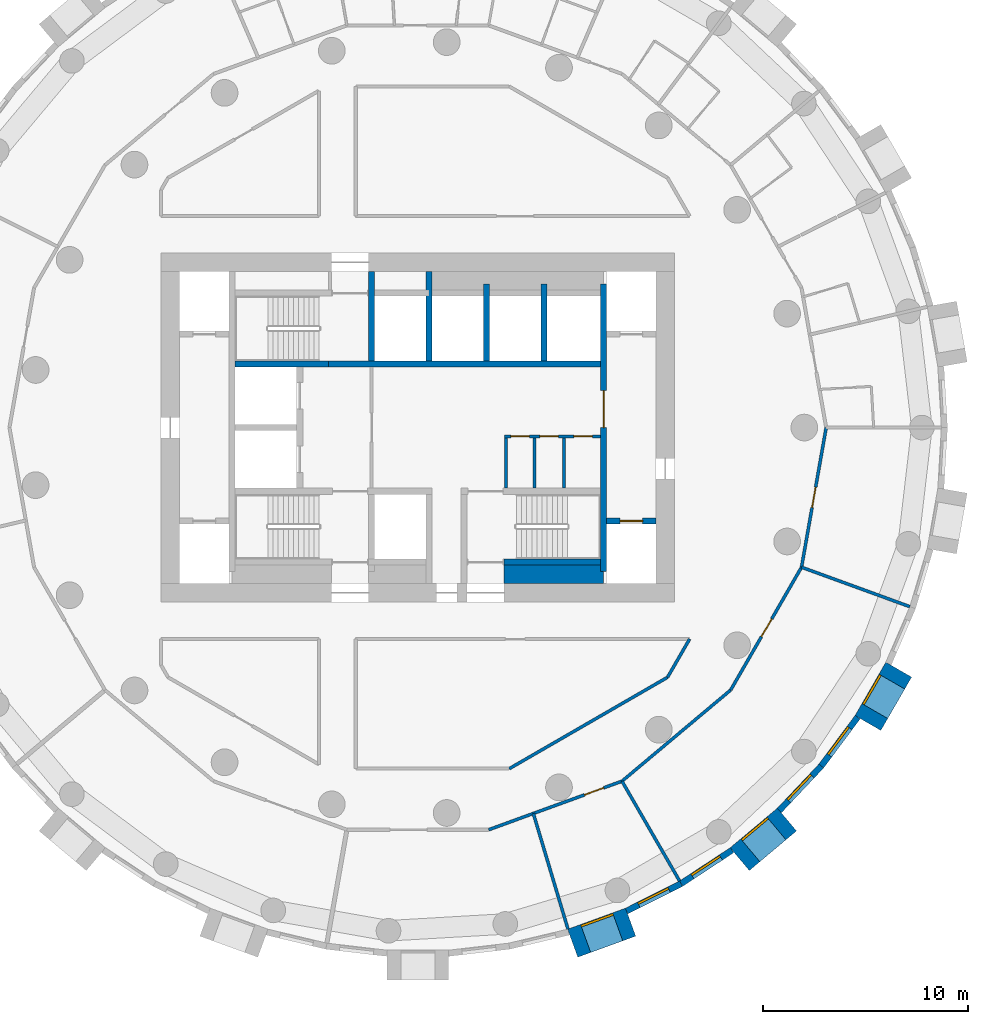
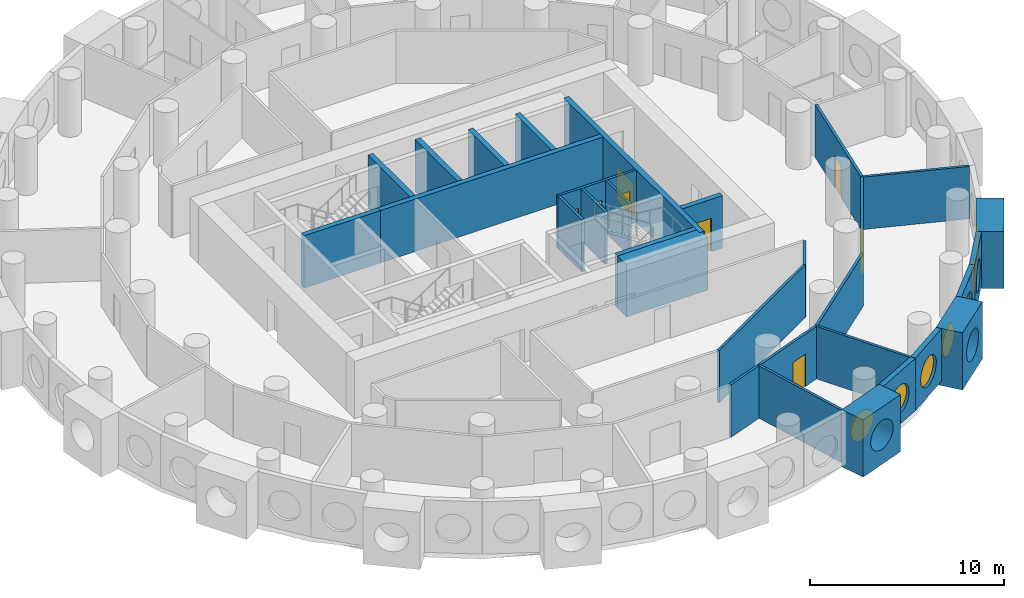
# One storey, part 4 of 9: 30 walls, 8 doors, 7 windows, 15 openings.
"""IFC4 building model written with IfcOpenShell, lengths in metres."""

from ifc_helpers import new_model, si_unit, direction, frame, frame_2d, origin, origin_2d, place, context, subcontext, project, spatial, rectangle, circle, extrude, material, layer, layer_set, type_object, element, fill, save


model = new_model("IFC4")

# Units and contexts
model_context = context("Model", 3, precision=1e-05, world=origin(), true_north=direction((0.0, 1.0)))
body_context = subcontext(model_context, "Body", "Model", "MODEL_VIEW")
ifc_project = project(units=[si_unit("LENGTHUNIT", "METRE"), si_unit("AREAUNIT", "SQUARE_METRE"), si_unit("VOLUMEUNIT", "CUBIC_METRE"), si_unit("PLANEANGLEUNIT", "RADIAN"), si_unit("MASSUNIT", "GRAM", prefix="KILO")], contexts=[model_context])

# Site, building, storey
site_placement = place(None, origin())
site = spatial("IfcSite", under=ifc_project, at=site_placement, CompositionType="ELEMENT")
building_placement = place(site_placement, origin())
building = spatial("IfcBuilding", under=site, at=building_placement, Name="Tracery Tower", CompositionType="ELEMENT")
storey_placement = place(building_placement, frame((0.0, 0.0, 162.0)))
storey = spatial("IfcBuildingStorey", under=building, at=storey_placement, Name="L41", CompositionType="ELEMENT", Elevation=162.0)

# Wall
ifc_material_1 = material(Name="Plasterboard on steel studs", Category="steel")
ifc_layer_1 = layer(ifc_material_1, 0.14990234375)
ifc_layer_set_1 = layer_set([ifc_layer_1], Name="Core room partition 150")
wall_type_1 = type_object("IfcWallType", Name="Core room partition 150", PredefinedType="SOLIDWALL", material=ifc_layer_set_1)
wall_1_placement = place(storey_placement, frame((4.300048828125, -2.949951171875, 0.0), z_axis=(0.0, 0.0, 1.0), x_axis=(0.0, 1.0, 0.0)))
element("IfcWall", 1, at=wall_1_placement, inside=storey, type_object=wall_type_1, Name="L41 slot W", PredefinedType="SOLIDWALL", context=body_context, shape_type="SweptSolid", body=[
    extrude(rectangle(XDim=2.449951171875, YDim=0.14990234375, at=frame_2d((1.22509765625, 0.0))), origin(), (0.0, 0.0, 1.0), 3.300048828125),
])

# Wall, openings, doors
wall_2_placement = place(storey_placement, frame((4.22509765625, -0.425048828125, 0.0), z_axis=(0.0, 0.0, 1.0), x_axis=(1.0, 0.0, 0.0)))
wall_2 = element("IfcWall", 2, at=wall_2_placement, inside=storey, type_object=wall_type_1, Name="L41 slot N", PredefinedType="SOLIDWALL", context=body_context, shape_type="SweptSolid", body=[
    extrude(rectangle(XDim=4.6748046875, YDim=0.14990234375, at=frame_2d((2.33740234375, 0.0))), origin(), (0.0, 0.0, 1.0), 3.300048828125),
])
opening_1_placement = place(wall_2_placement, frame((0.3125, 0.0, 0.0)))
opening_1 = element("IfcOpeningElement", 3, at=opening_1_placement, cuts=wall_2, Name="Opening KD32", PredefinedType="OPENING", context=body_context, shape_type="SweptSolid", body=[
    extrude(rectangle(XDim=0.89990234375, YDim=2.10009765625, at=frame_2d((0.449951171875, 1.050048828125))), frame((0.0, 0.074951171875, 0.0), z_axis=(0.0, -1.0, 0.0), x_axis=(1.0, 0.0, 0.0)), (0.0, 0.0, 1.0), 0.14990234375),
])
opening_2_placement = place(wall_2_placement, frame((1.72509765625, 0.0, 0.0)))
opening_2 = element("IfcOpeningElement", 4, at=opening_2_placement, cuts=wall_2, Name="Opening KD26", PredefinedType="OPENING", context=body_context, shape_type="SweptSolid", body=[
    extrude(rectangle(XDim=0.89990234375, YDim=2.10009765625, at=frame_2d((0.449951171875, 1.050048828125))), frame((0.0, 0.074951171875, 0.0), z_axis=(0.0, -1.0, 0.0), x_axis=(1.0, 0.0, 0.0)), (0.0, 0.0, 1.0), 0.14990234375),
])
opening_3_placement = place(wall_2_placement, frame((3.375, 0.0, 0.0)))
opening_3 = element("IfcOpeningElement", 5, at=opening_3_placement, cuts=wall_2, Name="Opening KD22", PredefinedType="OPENING", context=body_context, shape_type="SweptSolid", body=[
    extrude(rectangle(XDim=0.89990234375, YDim=2.10009765625, at=frame_2d((0.449951171875, 1.050048828125))), frame((0.0, 0.074951171875, 0.0), z_axis=(0.0, -1.0, 0.0), x_axis=(1.0, 0.0, 0.0)), (0.0, 0.0, 1.0), 0.14990234375),
])
ifc_material_2 = material(Name="Timber door leaf", Category="wood")
door_type_1 = type_object("IfcDoorType", Name="Core WC door 900", OperationType="NOTDEFINED", PredefinedType="DOOR", material=ifc_material_2)
door_1_placement = place(opening_3_placement, origin())
door_1 = element("IfcDoor", 6, at=door_1_placement, inside=storey, type_object=door_type_1, Name="Core door", OperationType="SINGLE_SWING_RIGHT", OverallHeight=2.10009765625, OverallWidth=0.89990234375, PredefinedType="DOOR", context=body_context, shape_type="SweptSolid", body=[
    extrude(rectangle(XDim=0.89990234375, YDim=2.10009765625, at=frame_2d((0.449951171875, 1.050048828125))), frame((0.0, 0.02490234375, 0.0), z_axis=(0.0, -1.0, 0.0), x_axis=(1.0, 0.0, 0.0)), (0.0, 0.0, 1.0), 0.050048828125),
])
fill(opening_3, door_1)
ifc_material_3 = material(Name="Steel fire door", Category="steel")
door_type_2 = type_object("IfcDoorType", Name="Core riser door 900", OperationType="NOTDEFINED", PredefinedType="DOOR", material=ifc_material_3)
door_2_placement = place(opening_1_placement, origin())
door_2 = element("IfcDoor", 7, at=door_2_placement, inside=storey, type_object=door_type_2, Name="Core door", OperationType="SINGLE_SWING_RIGHT", OverallHeight=2.10009765625, OverallWidth=0.89990234375, PredefinedType="DOOR", context=body_context, shape_type="SweptSolid", body=[
    extrude(rectangle(XDim=0.89990234375, YDim=2.10009765625, at=frame_2d((0.449951171875, 1.050048828125))), frame((0.0, 0.02490234375, 0.0), z_axis=(0.0, -1.0, 0.0), x_axis=(1.0, 0.0, 0.0)), (0.0, 0.0, 1.0), 0.050048828125),
])
fill(opening_1, door_2)
ifc_material_4 = material(Name="Timber door leaf", Category="wood")
door_type_3 = type_object("IfcDoorType", Name="Core store door 900", OperationType="NOTDEFINED", PredefinedType="DOOR", material=ifc_material_4)
door_3_placement = place(opening_2_placement, origin())
door_3 = element("IfcDoor", 8, at=door_3_placement, inside=storey, type_object=door_type_3, Name="Core door", OperationType="SINGLE_SWING_LEFT", OverallHeight=2.10009765625, OverallWidth=0.89990234375, PredefinedType="DOOR", context=body_context, shape_type="SweptSolid", body=[
    extrude(rectangle(XDim=0.89990234375, YDim=2.10009765625, at=frame_2d((0.449951171875, 1.050048828125))), frame((0.0, 0.02490234375, 0.0), z_axis=(0.0, -1.0, 0.0), x_axis=(1.0, 0.0, 0.0)), (0.0, 0.0, 1.0), 0.050048828125),
])
fill(opening_2, door_3)

# Walls
for number, where, z_axis, x_axis, name in (
    (9, (5.675048828125, -2.949951171875, 0.0), (0.0, 0.0, 1.0), (0.0, 1.0, 0.0), "L41 slot sep 1"),
    (10, (7.125, -2.949951171875, 0.0), (0.0, 0.0, 1.0), (0.0, 1.0, 0.0), "L41 slot sep 2"),
):
    element("IfcWall", number, at=place(storey_placement, frame(where, z_axis=z_axis, x_axis=x_axis)), inside=storey, type_object=wall_type_1, Name=name, PredefinedType="SOLIDWALL", context=body_context, shape_type="SweptSolid", body=[
        extrude(rectangle(XDim=2.449951171875, YDim=0.14990234375, at=frame_2d((1.22509765625, 0.0))), origin(), (0.0, 0.0, 1.0), 3.300048828125),
    ])
ifc_material_5 = material(Name="Concrete C50/60", Category="concrete")
ifc_layer_2 = layer(ifc_material_5, 0.89990234375)
ifc_layer_set_2 = layer_set([ifc_layer_2], Name="Core strip wall 900 C50")
wall_type_2 = type_object("IfcWallType", Name="Core strip wall 900 C50", PredefinedType="SOLIDWALL", material=ifc_layer_set_2)
wall_3_placement = place(storey_placement, frame((4.199951171875, -7.14990234375, 0.0), z_axis=(0.0, 0.0, 1.0), x_axis=(1.0, 0.0, 0.0)))
element("IfcWall", 11, at=wall_3_placement, inside=storey, type_object=wall_type_2, Name="L41 F thick S E", PredefinedType="SOLIDWALL", context=body_context, shape_type="SweptSolid", body=[
    extrude(rectangle(XDim=4.85009765625, YDim=0.89990234375, at=frame_2d((2.425048828125, 0.0))), origin(), (0.0, 0.0, 1.0), 3.300048828125),
])

# Wall, opening, window
ifc_material_6 = material(Name="Precast concrete C50/60", Category="concrete")
ifc_layer_3 = layer(ifc_material_6, 1.449951171875)
ifc_layer_set_3 = layer_set([ifc_layer_3], Name="Deep-set bay unit 3000 x 3600, slab edge 300")
wall_type_3 = type_object("IfcWallType", Name="Deep-set bay unit 3000 x 3600, slab edge 300", PredefinedType="ELEMENTEDWALL", material=ifc_layer_set_3)
wall_4_placement = place(storey_placement, frame((7.544189453125, -25.11328125, -0.300048828125), z_axis=(0.0, 0.0, 1.0), x_axis=(0.939686455819, 0.342037080957, 0.0)))
wall_4 = element("IfcWall", 12, at=wall_4_placement, inside=storey, type_object=wall_type_3, Name="Deep-set bay unit 44 at L41", PredefinedType="ELEMENTEDWALL", context=body_context, shape_type="SweptSolid", body=[
    extrude(rectangle(XDim=3.0, YDim=1.449951171875, at=frame_2d((1.5, 0.0))), origin(), (0.0, 0.0, 1.0), 3.60009765625),
])
opening_4_placement = place(wall_4_placement, frame((1.5, 0.0, 1.85009765625)))
opening_4 = element("IfcOpeningElement", 13, at=opening_4_placement, cuts=wall_4, Name="Opening WN1", PredefinedType="OPENING", context=body_context, shape_type="SweptSolid", body=[
    extrude(circle(Radius=0.9000244140625, at=origin_2d()), frame((0.0, 0.73486328125, 0.0), z_axis=(0.0, -1.0, 0.0), x_axis=(1.0, 0.0, 0.0)), (0.0, 0.0, 1.0), 1.469970703125),
])
ifc_material_7 = material(Name="Aluminium frame with tinted double glazing", Category="aluminium")
window_type = type_object("IfcWindowType", Name="Round window 1800", PartitioningType="SINGLE_PANEL", PredefinedType="WINDOW", material=ifc_material_7)
window_1_placement = place(opening_4_placement, origin())
window_1 = element("IfcWindow", 14, at=window_1_placement, inside=storey, type_object=window_type, Name="Round window 44 at L41", OverallHeight=1.800048828125, OverallWidth=1.800048828125, PartitioningType="SINGLE_PANEL", PredefinedType="WINDOW", context=body_context, shape_type="SweptSolid", body=[
    extrude(circle(Radius=0.9000244140625, at=origin_2d()), frame((0.0, 0.69482421875, 0.0), z_axis=(0.0, -1.0, 0.0), x_axis=(1.0, 0.0, 0.0)), (0.0, 0.0, 1.0), 0.10009765625),
])
fill(opening_4, window_1)

wall_5_placement = place(storey_placement, frame((15.678466796875, -21.0185546875, -0.300048828125), z_axis=(0.0, 0.0, 1.0), x_axis=(0.766022196139, 0.642814121673, 0.0)))
wall_5 = element("IfcWall", 15, at=wall_5_placement, inside=storey, type_object=wall_type_3, Name="Deep-set bay unit 47 at L41", PredefinedType="ELEMENTEDWALL", context=body_context, shape_type="SweptSolid", body=[
    extrude(rectangle(XDim=3.0, YDim=1.449951171875, at=frame_2d((1.5, 0.0))), origin(), (0.0, 0.0, 1.0), 3.60009765625),
])
opening_5_placement = place(wall_5_placement, frame((1.5, 0.0, 1.85009765625)))
opening_5 = element("IfcOpeningElement", 16, at=opening_5_placement, cuts=wall_5, Name="Opening WN1", PredefinedType="OPENING", context=body_context, shape_type="SweptSolid", body=[
    extrude(circle(Radius=0.9000244140625, at=origin_2d()), frame((0.0, 0.73486328125, 0.0), z_axis=(0.0, -1.0, 0.0), x_axis=(1.0, 0.0, 0.0)), (0.0, 0.0, 1.0), 1.469970703125),
])
window_2_placement = place(opening_5_placement, origin())
window_2 = element("IfcWindow", 17, at=window_2_placement, inside=storey, type_object=window_type, Name="Round window 47 at L41", OverallHeight=1.800048828125, OverallWidth=1.800048828125, PartitioningType="SINGLE_PANEL", PredefinedType="WINDOW", context=body_context, shape_type="SweptSolid", body=[
    extrude(circle(Radius=0.9000244140625, at=origin_2d()), frame((0.0, 0.69482421875, 0.0), z_axis=(0.0, -1.0, 0.0), x_axis=(1.0, 0.0, 0.0)), (0.0, 0.0, 1.0), 0.10009765625),
])
fill(opening_5, window_2)

wall_6_placement = place(storey_placement, frame((21.921630859375, -14.388671875, -0.300048828125), z_axis=(0.0, 0.0, 1.0), x_axis=(0.499990139034, 0.866031096941, 0.0)))
wall_6 = element("IfcWall", 18, at=wall_6_placement, inside=storey, type_object=wall_type_3, Name="Deep-set bay unit 50 at L41", PredefinedType="ELEMENTEDWALL", context=body_context, shape_type="SweptSolid", body=[
    extrude(rectangle(XDim=3.0, YDim=1.449951171875, at=frame_2d((1.5, 0.0))), origin(), (0.0, 0.0, 1.0), 3.60009765625),
])
opening_6_placement = place(wall_6_placement, frame((1.5, 0.0, 1.85009765625)))
opening_6 = element("IfcOpeningElement", 19, at=opening_6_placement, cuts=wall_6, Name="Opening WN1", PredefinedType="OPENING", context=body_context, shape_type="SweptSolid", body=[
    extrude(circle(Radius=0.9000244140625, at=origin_2d()), frame((0.0, 0.73486328125, 0.0), z_axis=(0.0, -1.0, 0.0), x_axis=(1.0, 0.0, 0.0)), (0.0, 0.0, 1.0), 1.469970703125),
])
window_3_placement = place(opening_6_placement, origin())
window_3 = element("IfcWindow", 20, at=window_3_placement, inside=storey, type_object=window_type, Name="Round window 50 at L41", OverallHeight=1.800048828125, OverallWidth=1.800048828125, PartitioningType="SINGLE_PANEL", PredefinedType="WINDOW", context=body_context, shape_type="SweptSolid", body=[
    extrude(circle(Radius=0.9000244140625, at=origin_2d()), frame((0.0, 0.69482421875, 0.0), z_axis=(0.0, -1.0, 0.0), x_axis=(1.0, 0.0, 0.0)), (0.0, 0.0, 1.0), 0.10009765625),
])
fill(opening_6, window_3)

ifc_material_8 = material(Name="Precast concrete C50/60", Category="concrete")
ifc_layer_4 = layer(ifc_material_8, 0.300048828125)
ifc_layer_set_4 = layer_set([ifc_layer_4], Name="Facade panel 3000 x 3300")
wall_type_4 = type_object("IfcWallType", Name="Facade panel 3000 x 3300", PredefinedType="SOLIDWALL", material=ifc_layer_set_4)
wall_7_placement = place(storey_placement, frame((10.1669921875, -23.545654296875, 0.0), z_axis=(0.0, 0.0, 1.0), x_axis=(0.893637442555, 0.448789618045, 0.0)))
wall_7 = element("IfcWall", 21, at=wall_7_placement, inside=storey, type_object=wall_type_4, Name="Facade panel 45 at L41", PredefinedType="SOLIDWALL", context=body_context, shape_type="SweptSolid", body=[
    extrude(rectangle(XDim=2.972900390625, YDim=0.300048828125, at=frame_2d((1.486328125, 0.0))), origin(), (0.0, 0.0, 1.0), 3.300048828125),
])
opening_7_placement = place(wall_7_placement, frame((1.486328125, 0.0, 1.5498046875)))
opening_7 = element("IfcOpeningElement", 22, at=opening_7_placement, cuts=wall_7, Name="Opening WN1", PredefinedType="OPENING", context=body_context, shape_type="SweptSolid", body=[
    extrude(circle(Radius=0.9000244140625, at=origin_2d()), frame((0.0, 0.159912109375, 0.0), z_axis=(0.0, -1.0, 0.0), x_axis=(1.0, 0.0, 0.0)), (0.0, 0.0, 1.0), 0.320068359375),
])
window_4_placement = place(opening_7_placement, origin())
window_4 = element("IfcWindow", 23, at=window_4_placement, inside=storey, type_object=window_type, Name="Round window 45 at L41", OverallHeight=1.800048828125, OverallWidth=1.800048828125, PartitioningType="SINGLE_PANEL", PredefinedType="WINDOW", context=body_context, shape_type="SweptSolid", body=[
    extrude(circle(Radius=0.9000244140625, at=origin_2d()), frame((0.0, 0.1201171875, 0.0), z_axis=(0.0, -1.0, 0.0), x_axis=(1.0, 0.0, 0.0)), (0.0, 0.0, 1.0), 0.10009765625),
])
fill(opening_7, window_4)

wall_8_placement = place(storey_placement, frame((12.82373046875, -22.21142578125, 0.0), z_axis=(0.0, 0.0, 1.0), x_axis=(0.835470659512, 0.549535055382, 0.0)))
wall_8 = element("IfcWall", 24, at=wall_8_placement, inside=storey, type_object=wall_type_4, Name="Facade panel 46 at L41", PredefinedType="SOLIDWALL", context=body_context, shape_type="SweptSolid", body=[
    extrude(rectangle(XDim=2.97314453125, YDim=0.300048828125, at=frame_2d((1.486572265625, 0.0))), origin(), (0.0, 0.0, 1.0), 3.300048828125),
])
opening_8_placement = place(wall_8_placement, frame((1.486328125, 0.0, 1.5498046875)))
opening_8 = element("IfcOpeningElement", 25, at=opening_8_placement, cuts=wall_8, Name="Opening WN1", PredefinedType="OPENING", context=body_context, shape_type="SweptSolid", body=[
    extrude(circle(Radius=0.9000244140625, at=origin_2d()), frame((0.0, 0.159912109375, 0.0), z_axis=(0.0, -1.0, 0.0), x_axis=(1.0, 0.0, 0.0)), (0.0, 0.0, 1.0), 0.320068359375),
])
window_5_placement = place(opening_8_placement, origin())
window_5 = element("IfcWindow", 26, at=window_5_placement, inside=storey, type_object=window_type, Name="Round window 46 at L41", OverallHeight=1.800048828125, OverallWidth=1.800048828125, PartitioningType="SINGLE_PANEL", PredefinedType="WINDOW", context=body_context, shape_type="SweptSolid", body=[
    extrude(circle(Radius=0.9000244140625, at=origin_2d()), frame((0.0, 0.1201171875, 0.0), z_axis=(0.0, -1.0, 0.0), x_axis=(1.0, 0.0, 0.0)), (0.0, 0.0, 1.0), 0.10009765625),
])
fill(opening_8, window_5)

wall_9_placement = place(storey_placement, frame((17.60693359375, -18.648193359375, 0.0), z_axis=(0.0, 0.0, 1.0), x_axis=(0.686235184166, 0.727379730273, 0.0)))
wall_9 = element("IfcWall", 27, at=wall_9_placement, inside=storey, type_object=wall_type_4, Name="Facade panel 48 at L41", PredefinedType="SOLIDWALL", context=body_context, shape_type="SweptSolid", body=[
    extrude(rectangle(XDim=2.972900390625, YDim=0.300048828125, at=frame_2d((1.486328125, 0.0))), origin(), (0.0, 0.0, 1.0), 3.300048828125),
])
opening_9_placement = place(wall_9_placement, frame((1.486328125, 0.0, 1.5498046875)))
opening_9 = element("IfcOpeningElement", 28, at=opening_9_placement, cuts=wall_9, Name="Opening WN1", PredefinedType="OPENING", context=body_context, shape_type="SweptSolid", body=[
    extrude(circle(Radius=0.9000244140625, at=origin_2d()), frame((0.0, 0.159912109375, 0.0), z_axis=(0.0, -1.0, 0.0), x_axis=(1.0, 0.0, 0.0)), (0.0, 0.0, 1.0), 0.320068359375),
])
window_6_placement = place(opening_9_placement, origin())
window_6 = element("IfcWindow", 29, at=window_6_placement, inside=storey, type_object=window_type, Name="Round window 48 at L41", OverallHeight=1.800048828125, OverallWidth=1.800048828125, PartitioningType="SINGLE_PANEL", PredefinedType="WINDOW", context=body_context, shape_type="SweptSolid", body=[
    extrude(circle(Radius=0.9000244140625, at=origin_2d()), frame((0.0, 0.1201171875, 0.0), z_axis=(0.0, -1.0, 0.0), x_axis=(1.0, 0.0, 0.0)), (0.0, 0.0, 1.0), 0.10009765625),
])
fill(opening_9, window_6)

wall_10_placement = place(storey_placement, frame((19.64697265625, -16.48583984375, 0.0), z_axis=(0.0, 0.0, 1.0), x_axis=(0.597197580538, 0.80209416517, 0.0)))
wall_10 = element("IfcWall", 30, at=wall_10_placement, inside=storey, type_object=wall_type_4, Name="Facade panel 49 at L41", PredefinedType="SOLIDWALL", context=body_context, shape_type="SweptSolid", body=[
    extrude(rectangle(XDim=2.972900390625, YDim=0.300048828125, at=frame_2d((1.486328125, 0.0))), origin(), (0.0, 0.0, 1.0), 3.300048828125),
])
opening_10_placement = place(wall_10_placement, frame((1.486328125, 0.0, 1.5498046875)))
opening_10 = element("IfcOpeningElement", 31, at=opening_10_placement, cuts=wall_10, Name="Opening WN1", PredefinedType="OPENING", context=body_context, shape_type="SweptSolid", body=[
    extrude(circle(Radius=0.9000244140625, at=origin_2d()), frame((0.0, 0.159912109375, 0.0), z_axis=(0.0, -1.0, 0.0), x_axis=(1.0, 0.0, 0.0)), (0.0, 0.0, 1.0), 0.320068359375),
])
window_7_placement = place(opening_10_placement, origin())
window_7 = element("IfcWindow", 32, at=window_7_placement, inside=storey, type_object=window_type, Name="Round window 49 at L41", OverallHeight=1.800048828125, OverallWidth=1.800048828125, PartitioningType="SINGLE_PANEL", PredefinedType="WINDOW", context=body_context, shape_type="SweptSolid", body=[
    extrude(circle(Radius=0.9000244140625, at=origin_2d()), frame((0.0, 0.1201171875, 0.0), z_axis=(0.0, -1.0, 0.0), x_axis=(1.0, 0.0, 0.0)), (0.0, 0.0, 1.0), 0.10009765625),
])
fill(opening_10, window_7)

# Walls
ifc_material_9 = material(Name="Plasterboard on steel studs", Category="steel")
ifc_layer_5 = layer(ifc_material_9, 0.14990234375)
ifc_layer_set_5 = layer_set([ifc_layer_5], Name="Partition 150 acoustic unit wall")
wall_type_5 = type_object("IfcWallType", Name="Partition 150 acoustic unit wall", PredefinedType="PARTITIONING", material=ifc_layer_set_5)
wall_11_placement = place(storey_placement, frame((5.626953125, -18.794921875, 0.0), z_axis=(0.0, 0.0, 1.0), x_axis=(0.286833432865, -0.957980470464, 0.0)))
element("IfcWall", 33, at=wall_11_placement, inside=storey, type_object=wall_type_5, Name="Unit wall RB4-073", PredefinedType="PARTITIONING", context=body_context, shape_type="SweptSolid", body=[
    extrude(rectangle(XDim=5.878173828125, YDim=0.14990234375, at=frame_2d((2.93896484375, 0.0))), origin(), (0.0, 0.0, 1.0), 3.300048828125),
])
wall_12_placement = place(storey_placement, frame((9.944091796875, -17.222900390625, 0.0), z_axis=(0.0, 0.0, 1.0), x_axis=(0.500010020406, -0.866019618423, 0.0)))
element("IfcWall", 34, at=wall_12_placement, inside=storey, type_object=wall_type_5, Name="Unit wall RB4-074", PredefinedType="PARTITIONING", context=body_context, shape_type="SweptSolid", body=[
    extrude(rectangle(XDim=5.60986328125, YDim=0.14990234375, at=frame_2d((2.804931640625, 0.0))), origin(), (0.0, 0.0, 1.0), 3.300048828125),
])
wall_13_placement = place(storey_placement, frame((18.68798828125, -6.802001953125, 0.0), z_axis=(0.0, 0.0, 1.0), x_axis=(0.939686652043, -0.342036541866, 0.0)))
element("IfcWall", 35, at=wall_13_placement, inside=storey, type_object=wall_type_5, Name="Unit wall RB4-075", PredefinedType="PARTITIONING", context=body_context, shape_type="SweptSolid", body=[
    extrude(rectangle(XDim=5.6103515625, YDim=0.14990234375, at=frame_2d((2.80517578125, 0.0))), origin(), (0.0, 0.0, 1.0), 3.300048828125),
])
ifc_material_10 = material(Name="Plasterboard on steel studs", Category="steel")
ifc_layer_6 = layer(ifc_material_10, 0.14990234375)
ifc_layer_set_6 = layer_set([ifc_layer_6], Name="Partition 150 corridor wall")
wall_type_6 = type_object("IfcWallType", Name="Partition 150 corridor wall", PredefinedType="PARTITIONING", material=ifc_layer_set_6)
wall_14_placement = place(storey_placement, frame((12.162109375, -12.162109375, 0.0), z_axis=(0.0, 0.0, 1.0), x_axis=(0.499961633463, 0.866047553582, 0.0)))
element("IfcWall", 36, at=wall_14_placement, inside=storey, type_object=wall_type_6, Name="Corridor wall RB4-006", PredefinedType="PARTITIONING", context=body_context, shape_type="SweptSolid", body=[
    extrude(rectangle(XDim=2.150146484375, YDim=0.14990234375, at=frame_2d((1.0751953125, 0.0))), origin(), (0.0, 0.0, 1.0), 3.300048828125),
])

# Wall, opening, door
wall_15_placement = place(storey_placement, frame((15.235107421875, -12.783935546875, 0.0), z_axis=(0.0, 0.0, 1.0), x_axis=(0.499914202267, 0.866074933462, 0.0)))
wall_15 = element("IfcWall", 37, at=wall_15_placement, inside=storey, type_object=wall_type_6, Name="Corridor wall RB4-010", PredefinedType="PARTITIONING", context=body_context, shape_type="SweptSolid", body=[
    extrude(rectangle(XDim=6.906982421875, YDim=0.14990234375, at=frame_2d((3.45361328125, 0.0))), origin(), (0.0, 0.0, 1.0), 3.300048828125),
])
opening_11_placement = place(wall_15_placement, frame((3.003173828125, 0.0, 0.0)))
opening_11 = element("IfcOpeningElement", 38, at=opening_11_placement, cuts=wall_15, Name="Opening RB4-28", PredefinedType="OPENING", context=body_context, shape_type="SweptSolid", body=[
    extrude(rectangle(XDim=1.0, YDim=2.0400390625, at=frame_2d((0.5, 1.02001953125))), frame((0.0, 0.074951171875, 0.0), z_axis=(0.0, -1.0, 0.0), x_axis=(1.0, 0.0, 0.0)), (0.0, 0.0, 1.0), 0.14990234375),
])
ifc_material_11 = material(Name="Timber door leaf", Category="wood")
door_type_4 = type_object("IfcDoorType", Name="Door communal room 1000", OperationType="NOTDEFINED", PredefinedType="DOOR", material=ifc_material_11)
door_4_placement = place(opening_11_placement, origin())
door_4 = element("IfcDoor", 39, at=door_4_placement, inside=storey, type_object=door_type_4, Name="Communal room door RB4-28", OperationType="SINGLE_SWING_LEFT", OverallHeight=2.0400390625, OverallWidth=1.0, PredefinedType="DOOR", context=body_context, shape_type="SweptSolid", body=[
    extrude(rectangle(XDim=1.0, YDim=2.0400390625, at=frame_2d((0.5, 1.02001953125))), frame((0.0, 0.02490234375, 0.0), z_axis=(0.0, -1.0, 0.0), x_axis=(1.0, 0.0, 0.0)), (0.0, 0.0, 1.0), 0.050048828125),
])
fill(opening_11, door_4)

# Wall
wall_16_placement = place(storey_placement, frame((9.943359375, -17.22216796875, 0.0), z_axis=(0.0, 0.0, 1.0), x_axis=(0.766192104565, 0.642611592567, 0.0)))
element("IfcWall", 40, at=wall_16_placement, inside=storey, type_object=wall_type_6, Name="Corridor wall RB4-011", PredefinedType="PARTITIONING", context=body_context, shape_type="SweptSolid", body=[
    extrude(rectangle(XDim=6.906494140625, YDim=0.14990234375, at=frame_2d((3.453125, 0.0))), origin(), (0.0, 0.0, 1.0), 3.300048828125),
])

# Wall, opening, door
wall_17_placement = place(storey_placement, frame((18.68798828125, -6.802001953125, 0.0), z_axis=(0.0, 0.0, 1.0), x_axis=(0.173728873845, 0.98479352069, 0.0)))
wall_17 = element("IfcWall", 41, at=wall_17_placement, inside=storey, type_object=wall_type_6, Name="Corridor wall RB4-012", PredefinedType="PARTITIONING", context=body_context, shape_type="SweptSolid", body=[
    extrude(rectangle(XDim=6.906982421875, YDim=0.14990234375, at=frame_2d((3.45361328125, 0.0))), origin(), (0.0, 0.0, 1.0), 3.300048828125),
])
opening_12_placement = place(wall_17_placement, frame((2.952880859375, 0.0, 0.0)))
opening_12 = element("IfcOpeningElement", 42, at=opening_12_placement, cuts=wall_17, Name="Opening RB4-29", PredefinedType="OPENING", context=body_context, shape_type="SweptSolid", body=[
    extrude(rectangle(XDim=1.0, YDim=2.0400390625, at=frame_2d((0.5, 1.02001953125))), frame((0.0, 0.074951171875, 0.0), z_axis=(0.0, -1.0, 0.0), x_axis=(1.0, 0.0, 0.0)), (0.0, 0.0, 1.0), 0.14990234375),
])
door_5_placement = place(opening_12_placement, origin())
door_5 = element("IfcDoor", 43, at=door_5_placement, inside=storey, type_object=door_type_4, Name="Communal room door RB4-29", OperationType="SINGLE_SWING_RIGHT", OverallHeight=2.0400390625, OverallWidth=1.0, PredefinedType="DOOR", context=body_context, shape_type="SweptSolid", body=[
    extrude(rectangle(XDim=1.0, YDim=2.0400390625, at=frame_2d((0.5, 1.02001953125))), frame((0.0, 0.02490234375, 0.0), z_axis=(0.0, -1.0, 0.0), x_axis=(1.0, 0.0, 0.0)), (0.0, 0.0, 1.0), 0.050048828125),
])
fill(opening_12, door_5)

# Wall
wall_18_placement = place(storey_placement, frame((4.451904296875, -16.614013671875, 0.0), z_axis=(0.0, 0.0, 1.0), x_axis=(0.866005203721, 0.500034985904, 0.0)))
element("IfcWall", 44, at=wall_18_placement, inside=storey, type_object=wall_type_6, Name="Corridor wall RB4-035", PredefinedType="PARTITIONING", context=body_context, shape_type="SweptSolid", body=[
    extrude(rectangle(XDim=8.903076171875, YDim=0.14990234375, at=frame_2d((4.45166015625, 0.0))), origin(), (0.0, 0.0, 1.0), 3.300048828125),
])

# Wall, opening, door
wall_19_placement = place(storey_placement, frame((3.452880859375, -19.5859375, 0.0), z_axis=(0.0, 0.0, 1.0), x_axis=(0.939607544688, 0.342253797591, 0.0)))
wall_19 = element("IfcWall", 45, at=wall_19_placement, inside=storey, type_object=wall_type_6, Name="Corridor wall RB4-037", PredefinedType="PARTITIONING", context=body_context, shape_type="SweptSolid", body=[
    extrude(rectangle(XDim=6.907958984375, YDim=0.14990234375, at=frame_2d((3.4541015625, 0.0))), origin(), (0.0, 0.0, 1.0), 3.300048828125),
])
opening_13_placement = place(wall_19_placement, frame((4.958740234375, 0.0, 0.0)))
opening_13 = element("IfcOpeningElement", 46, at=opening_13_placement, cuts=wall_19, Name="Opening RB4-27", PredefinedType="OPENING", context=body_context, shape_type="SweptSolid", body=[
    extrude(rectangle(XDim=1.0, YDim=2.0400390625, at=frame_2d((0.5, 1.02001953125))), frame((0.0, 0.074951171875, 0.0), z_axis=(0.0, -1.0, 0.0), x_axis=(1.0, 0.0, 0.0)), (0.0, 0.0, 1.0), 0.14990234375),
])
door_6_placement = place(opening_13_placement, origin())
door_6 = element("IfcDoor", 47, at=door_6_placement, inside=storey, type_object=door_type_4, Name="Communal room door RB4-27", OperationType="SINGLE_SWING_LEFT", OverallHeight=2.0400390625, OverallWidth=1.0, PredefinedType="DOOR", context=body_context, shape_type="SweptSolid", body=[
    extrude(rectangle(XDim=1.0, YDim=2.0400390625, at=frame_2d((0.5, 1.02001953125))), frame((0.0, 0.02490234375, 0.0), z_axis=(0.0, -1.0, 0.0), x_axis=(1.0, 0.0, 0.0)), (0.0, 0.0, 1.0), 0.050048828125),
])
fill(opening_13, door_6)

# Walls
ifc_material_12 = material(Name="Concrete C50/60", Category="concrete")
ifc_layer_7 = layer(ifc_material_12, 0.300048828125)
ifc_layer_set_7 = layer_set([ifc_layer_7], Name="Shaft wall 300 C50")
wall_type_7 = type_object("IfcWallType", Name="Shaft wall 300 C50", PredefinedType="SOLIDWALL", material=ifc_layer_set_7)
wall_20_placement = place(storey_placement, frame((0.550048828125, 3.25, 0.0), z_axis=(0.0, 0.0, 1.0), x_axis=(0.0, 1.0, 0.0)))
element("IfcWall", 48, at=wall_20_placement, inside=storey, type_object=wall_type_7, Name="L41 HR sep 1", PredefinedType="SOLIDWALL", context=body_context, shape_type="SweptSolid", body=[
    extrude(rectangle(XDim=4.35009765625, YDim=0.300048828125, at=frame_2d((2.175048828125, 0.0))), origin(), (0.0, 0.0, 1.0), 3.300048828125),
])
for number, where, z_axis, x_axis, name in (
    (49, (3.35009765625, 3.25, 0.0), (0.0, 0.0, 1.0), (0.0, 1.0, 0.0), "L41 HR sep 2"),
    (50, (6.14990234375, 3.25, 0.0), (0.0, 0.0, 1.0), (0.0, 1.0, 0.0), "L41 HR sep 3"),
):
    element("IfcWall", number, at=place(storey_placement, frame(where, z_axis=z_axis, x_axis=x_axis)), inside=storey, type_object=wall_type_7, Name=name, PredefinedType="SOLIDWALL", context=body_context, shape_type="SweptSolid", body=[
        extrude(rectangle(XDim=3.75, YDim=0.300048828125, at=frame_2d((1.875, 0.0))), origin(), (0.0, 0.0, 1.0), 3.300048828125),
    ])

# Wall, opening, door
wall_21_placement = place(storey_placement, frame((9.199951171875, -4.550048828125, 0.0), z_axis=(0.0, 0.0, 1.0), x_axis=(1.0, 0.0, 0.0)))
wall_21 = element("IfcWall", 51, at=wall_21_placement, inside=storey, type_object=wall_type_7, Name="L41 MR E -4.55", PredefinedType="SOLIDWALL", context=body_context, shape_type="SweptSolid", body=[
    extrude(rectangle(XDim=2.400146484375, YDim=0.300048828125, at=frame_2d((1.2001953125, 0.0))), origin(), (0.0, 0.0, 1.0), 3.300048828125),
])
opening_14_placement = place(wall_21_placement, frame((0.64990234375, 0.0, 0.0)))
opening_14 = element("IfcOpeningElement", 52, at=opening_14_placement, cuts=wall_21, Name="Opening KD50", PredefinedType="OPENING", context=body_context, shape_type="SweptSolid", body=[
    extrude(rectangle(XDim=1.10009765625, YDim=2.10009765625, at=frame_2d((0.550048828125, 1.050048828125))), frame((0.0, 0.14990234375, 0.0), z_axis=(0.0, -1.0, 0.0), x_axis=(1.0, 0.0, 0.0)), (0.0, 0.0, 1.0), 0.300048828125),
])
ifc_material_13 = material(Name="Steel fire door", Category="steel")
door_type_5 = type_object("IfcDoorType", Name="Landing door 1100", OperationType="NOTDEFINED", PredefinedType="DOOR", material=ifc_material_13)
door_7_placement = place(opening_14_placement, origin())
door_7 = element("IfcDoor", 53, at=door_7_placement, inside=storey, type_object=door_type_5, Name="Landing door MR3", OperationType="SLIDING_TO_RIGHT", OverallHeight=2.10009765625, OverallWidth=1.10009765625, PredefinedType="DOOR", context=body_context, shape_type="SweptSolid", body=[
    extrude(rectangle(XDim=1.10009765625, YDim=2.10009765625, at=frame_2d((0.550048828125, 1.050048828125))), frame((0.0, 0.02490234375, 0.0), z_axis=(0.0, -1.0, 0.0), x_axis=(1.0, 0.0, 0.0)), (0.0, 0.0, 1.0), 0.050048828125),
])
fill(opening_14, door_7)

# Walls
ifc_material_14 = material(Name="Concrete C50/60", Category="concrete")
ifc_layer_8 = layer(ifc_material_14, 0.300048828125)
ifc_layer_set_8 = layer_set([ifc_layer_8], Name="Stair wall 300 C50")
wall_type_8 = type_object("IfcWallType", Name="Stair wall 300 C50", PredefinedType="SOLIDWALL", material=ifc_layer_set_8)
wall_22_placement = place(storey_placement, frame((-8.89990234375, 3.10009765625, 0.0), z_axis=(0.0, 0.0, 1.0), x_axis=(1.0, 0.0, 0.0)))
element("IfcWall", 54, at=wall_22_placement, inside=storey, type_object=wall_type_8, Name="L41 row N W", PredefinedType="SOLIDWALL", context=body_context, shape_type="SweptSolid", body=[
    extrude(rectangle(XDim=4.5498046875, YDim=0.300048828125, at=frame_2d((2.27490234375, 0.0))), origin(), (0.0, 0.0, 1.0), 3.300048828125),
])
wall_23_placement = place(storey_placement, frame((-4.35009765625, 3.10009765625, 0.0), z_axis=(0.0, 0.0, 1.0), x_axis=(1.0, 0.0, 0.0)))
element("IfcWall", 55, at=wall_23_placement, inside=storey, type_object=wall_type_8, Name="L41 row N", PredefinedType="SOLIDWALL", context=body_context, shape_type="SweptSolid", body=[
    extrude(rectangle(XDim=13.25, YDim=0.300048828125, at=frame_2d((6.625, 0.0))), origin(), (0.0, 0.0, 1.0), 3.300048828125),
])
wall_24_placement = place(storey_placement, frame((-2.25, 3.25, 0.0), z_axis=(0.0, 0.0, 1.0), x_axis=(0.0, 1.0, 0.0)))
element("IfcWall", 56, at=wall_24_placement, inside=storey, type_object=wall_type_8, Name="L41 ST3 E", PredefinedType="SOLIDWALL", context=body_context, shape_type="SweptSolid", body=[
    extrude(rectangle(XDim=4.35009765625, YDim=0.300048828125, at=frame_2d((2.175048828125, 0.0))), origin(), (0.0, 0.0, 1.0), 3.300048828125),
])

# Wall, opening, door
wall_25_placement = place(storey_placement, frame((9.050048828125, -7.0, 0.0), z_axis=(0.0, 0.0, 1.0), x_axis=(0.0, 1.0, 0.0)))
wall_25 = element("IfcWall", 57, at=wall_25_placement, inside=storey, type_object=wall_type_8, Name="L41 F wall +9", PredefinedType="SOLIDWALL", context=body_context, shape_type="SweptSolid", body=[
    extrude(rectangle(XDim=14.0, YDim=0.300048828125, at=frame_2d((7.0, 0.0))), origin(), (0.0, 0.0, 1.0), 3.300048828125),
])
opening_15_placement = place(wall_25_placement, frame((7.0, 0.0, 0.0)))
opening_15 = element("IfcOpeningElement", 58, at=opening_15_placement, cuts=wall_25, Name="Opening KD13", PredefinedType="OPENING", context=body_context, shape_type="SweptSolid", body=[
    extrude(rectangle(XDim=1.800048828125, YDim=2.10009765625, at=frame_2d((0.89990234375, 1.050048828125))), frame((0.0, 0.14990234375, 0.0), z_axis=(0.0, -1.0, 0.0), x_axis=(1.0, 0.0, 0.0)), (0.0, 0.0, 1.0), 0.300048828125),
])
ifc_material_15 = material(Name="Steel fire door", Category="steel")
door_type_6 = type_object("IfcDoorType", Name="Core exit door 1800 double", OperationType="NOTDEFINED", PredefinedType="DOOR", material=ifc_material_15)
door_8_placement = place(opening_15_placement, origin())
door_8 = element("IfcDoor", 59, at=door_8_placement, inside=storey, type_object=door_type_6, Name="Core exit door", OperationType="DOUBLE_DOOR_SINGLE_SWING", OverallHeight=2.10009765625, OverallWidth=1.800048828125, PredefinedType="DOOR", context=body_context, shape_type="SweptSolid", body=[
    extrude(rectangle(XDim=1.800048828125, YDim=2.10009765625, at=frame_2d((0.89990234375, 1.050048828125))), frame((0.0, 0.02490234375, 0.0), z_axis=(0.0, -1.0, 0.0), x_axis=(1.0, 0.0, 0.0)), (0.0, 0.0, 1.0), 0.050048828125),
])
fill(opening_15, door_8)

# Wall
wall_26_placement = place(storey_placement, frame((4.199951171875, -6.550048828125, 0.0), z_axis=(0.0, 0.0, 1.0), x_axis=(1.0, 0.0, 0.0)))
element("IfcWall", 60, at=wall_26_placement, inside=storey, type_object=wall_type_8, Name="L41 F stair strip S E", PredefinedType="SOLIDWALL", context=body_context, shape_type="SweptSolid", body=[
    extrude(rectangle(XDim=4.699951171875, YDim=0.300048828125, at=frame_2d((2.35009765625, 0.0))), origin(), (0.0, 0.0, 1.0), 3.300048828125),
])

save(model, "model.ifc")
